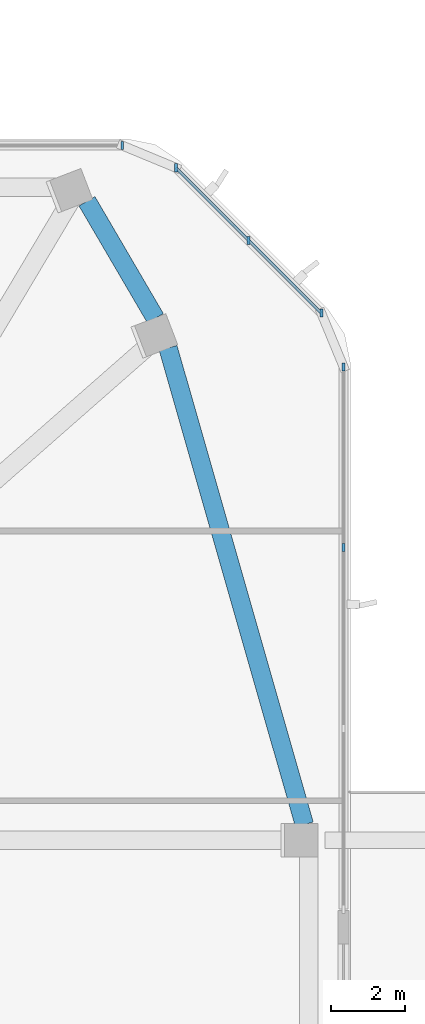
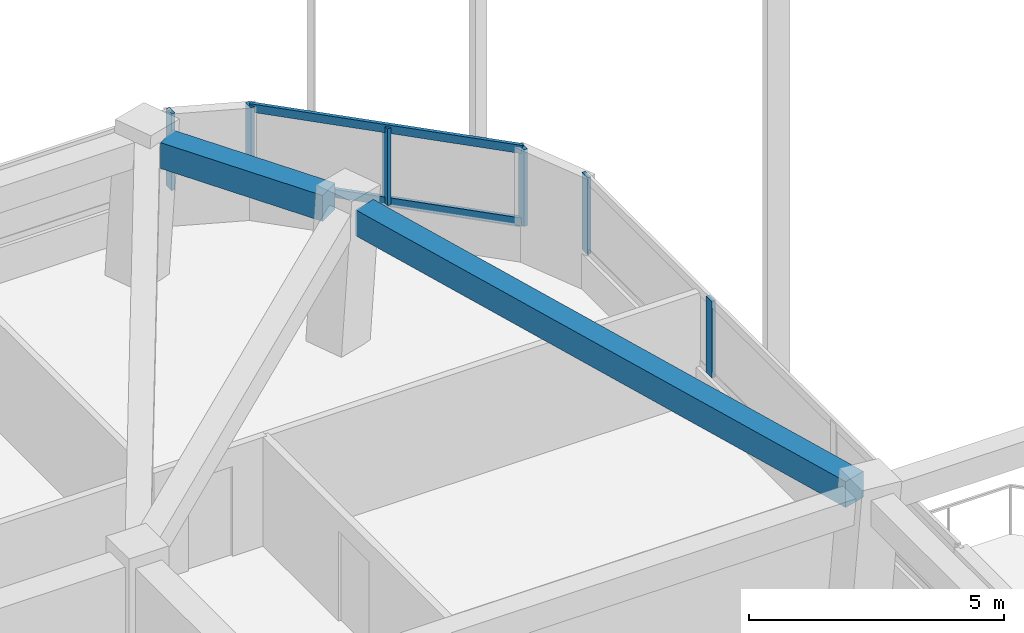
# One storey, part 8 of 17: 8 members, 2 beams, 3 elements without a shape of their own.
"""IFC4 building model written with IfcOpenShell, lengths in metres."""

import ifcopenshell
import ifcopenshell.guid

model = None  # the IFC model being written
_history = None  # IfcOwnerHistory: only IFC2X3 demands one
_inside = {}  # id of a spatial element -> (the spatial element, [elements in it])
_under = {}  # id of a project, library or spatial element -> (it, [spatial elements below it])
_declared = {}  # id of a project -> (the project, [libraries it declares])
_typed = {}  # id of a type object -> (the type object, [elements of that type])
_made_of = {}  # id of a material, layer set ... -> (it, [elements and type objects made of it])


def new_model(schema):
    """Start an empty IFC model of exactly this schema.

    Asked for "IFC4X3", IfcOpenShell would pick the latest addendum, in which some entities
    have other attributes; the version numbers below select the first issue.
    IFC2X3 requires an IfcOwnerHistory on every rooted entity: one is made here for all.
    """
    global model, _history
    if schema == "IFC4X3":
        model = ifcopenshell.file(schema_version=(4, 3, 0, 0))
    else:
        model = ifcopenshell.file(schema=schema)
    _inside.clear()
    _under.clear()
    _declared.clear()
    _typed.clear()
    _made_of.clear()
    _history = None
    if model.schema == "IFC2X3":
        org = make("IfcOrganization", Name="unknown")
        user = make(
            "IfcPersonAndOrganization",
            ThePerson=make("IfcPerson", FamilyName="unknown"),
            TheOrganization=org,
        )
        app = make(
            "IfcApplication",
            ApplicationDeveloper=org,
            Version="unknown",
            ApplicationFullName="unknown",
            ApplicationIdentifier="unknown",
        )
        _history = make(
            "IfcOwnerHistory",
            OwningUser=user,
            OwningApplication=app,
            ChangeAction="ADDED",
            CreationDate=0,
        )
    return model


def make(cls, **values):
    """One entity of the class cls with the attributes given. An attribute that is None is left unset."""
    return model.create_entity(
        cls, **{name: value for name, value in values.items() if value is not None}
    )


def rooted(cls, **values):
    """An entity with a GlobalId (a new one), such as an element, a storey or a relation."""
    return make(cls, GlobalId=ifcopenshell.guid.new(), OwnerHistory=_history, **values)


def si_unit(unit_type, name, prefix=None):
    """IfcSIUnit, for example si_unit("LENGTHUNIT", "METRE", prefix="MILLI")."""
    return make("IfcSIUnit", UnitType=unit_type, Prefix=prefix, Name=name)


def derived_unit(unit_type, elements):
    """IfcDerivedUnit: a product of units, each with its exponent."""
    return make(
        "IfcDerivedUnit",
        Elements=[
            make("IfcDerivedUnitElement", Unit=unit, Exponent=power)
            for unit, power in elements
        ],
        UnitType=unit_type,
    )


def assignment(units):
    """IfcUnitAssignment: the units of a project."""
    return None if units is None else make("IfcUnitAssignment", Units=units)


def point(xyz):
    """IfcCartesianPoint."""
    return None if xyz is None else make("IfcCartesianPoint", Coordinates=xyz)


def direction(xyz):
    """IfcDirection."""
    return None if xyz is None else make("IfcDirection", DirectionRatios=xyz)


def frame(location, z_axis=None, x_axis=None):
    """IfcAxis2Placement3D, a coordinate frame: its origin and axes. An axis left out is left unset."""
    return make(
        "IfcAxis2Placement3D",
        Location=point(location),
        Axis=direction(z_axis),
        RefDirection=direction(x_axis),
    )


def frame_2d(location, x_axis=None):
    """IfcAxis2Placement2D, a coordinate frame in the plane: its origin and x axis."""
    return make(
        "IfcAxis2Placement2D", Location=point(location), RefDirection=direction(x_axis)
    )


def origin():
    """The frame at (0, 0, 0) with its axes left unset."""
    return frame((0.0, 0.0, 0.0))


def origin_2d():
    """The frame at (0, 0) in the plane with its x axis left unset."""
    return frame_2d((0.0, 0.0))


def place(relative_to, where):
    """IfcLocalPlacement: puts the frame where relative to a parent placement (None: the world)."""
    return make(
        "IfcLocalPlacement", PlacementRelTo=relative_to, RelativePlacement=where
    )


def context(
    kind, dimensions, precision=None, world=None, true_north=None, identifier=None
):
    """IfcGeometricRepresentationContext, for example the 3D "Model" context."""
    return make(
        "IfcGeometricRepresentationContext",
        ContextIdentifier=identifier,
        ContextType=kind,
        CoordinateSpaceDimension=dimensions,
        Precision=precision,
        WorldCoordinateSystem=world,
        TrueNorth=true_north,
    )


def subcontext(parent, identifier, kind, view, scale=None):
    """IfcGeometricRepresentationSubContext, for example "Body" below "Model"."""
    return make(
        "IfcGeometricRepresentationSubContext",
        ContextIdentifier=identifier,
        ContextType=kind,
        ParentContext=parent,
        TargetScale=scale,
        TargetView=view,
    )


def project(units=None, contexts=None):
    """IfcProject with its units and contexts."""
    return rooted(
        "IfcProject",
        Name="project",
        RepresentationContexts=contexts,
        UnitsInContext=assignment(units),
    )


def spatial(cls, under=None, at=None, **own):
    """A site, building, storey or space (cls), placed at a placement, below another one or the project."""
    s = rooted(cls, ObjectPlacement=at, **own)
    if under is not None:
        _under.setdefault(under.id(), (under, []))[1].append(s)
    return s


def profile(cls, at=None, kind="AREA", **sizes):
    """A parametric profile (cls). Its sizes go by their IFC names, for example OverallWidth=200.0."""
    return make(cls, ProfileType=kind, Position=at, **sizes)


def rectangle(**sizes):
    """IfcRectangleProfileDef."""
    return profile("IfcRectangleProfileDef", **sizes)


def extrude(swept, where, along, depth):
    """IfcExtrudedAreaSolid: the profile swept, set in the frame where, extruded along a direction by depth."""
    return make(
        "IfcExtrudedAreaSolid",
        SweptArea=swept,
        Position=where,
        ExtrudedDirection=direction(along),
        Depth=depth,
    )


def shape(context_of_items, identifier, shape_type, items):
    """IfcShapeRepresentation: the items that make up one representation, for example the "Body"."""
    return make(
        "IfcShapeRepresentation",
        ContextOfItems=context_of_items,
        RepresentationIdentifier=identifier,
        RepresentationType=shape_type,
        Items=items,
    )


def material(Name=None, Category=None):
    """IfcMaterial."""
    return make("IfcMaterial", Name=Name, Category=Category)


def material_profile(
    of_material, cross_section, Name=None, Category=None, Priority=None
):
    """IfcMaterialProfile: a cross section and its material."""
    return make(
        "IfcMaterialProfile",
        Name=Name,
        Material=of_material,
        Profile=cross_section,
        Priority=Priority,
        Category=Category,
    )


def profile_set(profiles, Name=None, composite=None):
    """IfcMaterialProfileSet."""
    return make(
        "IfcMaterialProfileSet",
        Name=Name,
        MaterialProfiles=profiles,
        CompositeProfile=composite,
    )


def made_of(thing, what):
    """Note that an element or type object is made of a material, layer set ...; save() writes the relation."""
    if what is not None:
        _made_of.setdefault(what.id(), (what, []))[1].append(thing)
    return thing


def type_object(cls, material=None, **own):
    """A type object (cls), such as IfcWallType, which elements share."""
    return made_of(rooted(cls, **own), material)


def element(
    cls,
    number,
    at=None,
    inside=None,
    cuts=None,
    type_object=None,
    material=None,
    context=None,
    identifier="Body",
    shape_type=None,
    held_by="IfcProductDefinitionShape",
    body=None,
    shapes=None,
    **own,
):
    """One element of the class cls, such as IfcWall. Its Tag is "e" and its number.

    at: its placement. inside: the storey or other place that contains it. cuts: it is an
    opening in that element (IfcRelVoidsElement). A single representation is given by context,
    identifier, shape_type and body (its items); several are given by shapes. held_by: the class
    of the entity that holds the representations. save() writes the other relations.
    """
    e = rooted(cls, Tag="e%d" % number, ObjectPlacement=at, **own)
    if body is not None:
        shapes = [shape(context, identifier, shape_type, body)]
    if shapes is not None:
        e.Representation = make(held_by, Representations=shapes)
    if inside is not None:
        _inside.setdefault(inside.id(), (inside, []))[1].append(e)
    if cuts is not None:
        rooted(
            "IfcRelVoidsElement", RelatingBuildingElement=cuts, RelatedOpeningElement=e
        )
    if type_object is not None:
        _typed.setdefault(type_object.id(), (type_object, []))[1].append(e)
    return made_of(e, material)


def aggregate(whole, parts):
    """IfcRelAggregates: a whole, such as a stair, and the parts it consists of."""
    return rooted("IfcRelAggregates", RelatingObject=whole, RelatedObjects=parts)


def save(model, path):
    """Write the relations noted so far, then the file.

    IfcRelAggregates (storeys below a building ...), IfcRelContainedInSpatialStructure (elements
    in a storey), IfcRelDefinesByType, IfcRelAssociatesMaterial and IfcRelDeclares: one each for
    every whole, place, type object, material and project.
    """
    for whole, parts in _under.values():
        aggregate(whole, parts)
    for where, things in _inside.values():
        rooted(
            "IfcRelContainedInSpatialStructure",
            RelatedElements=things,
            RelatingStructure=where,
        )
    for kind, things in _typed.values():
        rooted("IfcRelDefinesByType", RelatedObjects=things, RelatingType=kind)
    for what, things in _made_of.values():
        rooted("IfcRelAssociatesMaterial", RelatedObjects=things, RelatingMaterial=what)
    for by, libraries in _declared.values():
        rooted("IfcRelDeclares", RelatingContext=by, RelatedDefinitions=libraries)
    model.write(path)


model = new_model("IFC4")

# Units and contexts
model_context = context("Model", 3, precision=1e-05, world=origin(), true_north=direction((0.0, 1.0)))
body_context = subcontext(model_context, "Body", "Model", "MODEL_VIEW")
ifc_project = project(units=[si_unit("LENGTHUNIT", "METRE"), si_unit("AREAUNIT", "SQUARE_METRE"), si_unit("VOLUMEUNIT", "CUBIC_METRE"), si_unit("PLANEANGLEUNIT", "RADIAN"), si_unit("MASSUNIT", "GRAM", prefix="KILO"), derived_unit("THERMALTRANSMITTANCEUNIT", [(si_unit("POWERUNIT", "WATT"), 1), (si_unit("LENGTHUNIT", "METRE"), -2), (si_unit("THERMODYNAMICTEMPERATUREUNIT", "KELVIN"), -1)])], contexts=[model_context])

# Site, building, storey
site_placement = place(None, origin())
site = spatial("IfcSite", under=ifc_project, at=site_placement, CompositionType="ELEMENT")
building_placement = place(site_placement, origin())
building = spatial("IfcBuilding", under=site, at=building_placement, Name="Koralith Skygarden Medical Center", CompositionType="ELEMENT")
storey_placement = place(building_placement, frame((0.0, 0.0, 207.179931640625)))
storey = spatial("IfcBuildingStorey", under=building, at=storey_placement, Name="L53", CompositionType="ELEMENT", Elevation=207.179931640625)

# Curtain wall, members
ifc_material_1 = material(Name="Clear Laminated Glass", Category="glass")
curtain_wall_type = type_object("IfcCurtainWallType", Name="CW-5 Zone 4 Flare Biophilic Curtain Wall", PredefinedType="NOTDEFINED", material=ifc_material_1)
curtain_wall_1_placement = place(storey_placement, origin())
curtain_wall_1 = element("IfcCurtainWall", 1, at=curtain_wall_1_placement, inside=storey, type_object=curtain_wall_type, Name="Curtain Wall CW-L53-E-R", PredefinedType="NOTDEFINED")
ifc_material_2 = material(Name="Aluminium 6063-T6", Category="aluminium")
ifc_material_profile_1 = material_profile(ifc_material_2, rectangle(XDim=0.080078125, YDim=0.219970703125, at=origin_2d()), Name="MUL80X220")
ifc_profile_set_1 = profile_set([ifc_material_profile_1], Name="Aluminium 6063-T6")
member_type_1 = type_object("IfcMemberType", Name="CW-5 Extruded Mullion 80x220", PredefinedType="MULLION", material=ifc_profile_set_1)
member_1_placement = place(storey_placement, frame((62.751953125, 37.200927734375, 0.85009765625), z_axis=(0.0, 0.0, 1.0), x_axis=(1.0, 0.0, 0.0)))
member_1 = element("IfcMember", 2, at=member_1_placement, type_object=member_type_1, Name="CW-L53-E-R Mullion 3", PredefinedType="MULLION", context=body_context, shape_type="SweptSolid", body=[
    extrude(rectangle(XDim=0.080078125, YDim=0.219970703125, at=origin_2d()), origin(), (0.0, 0.0, 1.0), 1.840087890625),
])
member_2_placement = place(storey_placement, frame((62.751953125, 42.08203125, 0.85009765625), z_axis=(0.0, 0.0, 1.0), x_axis=(1.0, 0.0, 0.0)))
member_2 = element("IfcMember", 3, at=member_2_placement, type_object=member_type_1, Name="CW-L53-E-R Mullion 4", PredefinedType="MULLION", context=body_context, shape_type="SweptSolid", body=[
    extrude(rectangle(XDim=0.080078125, YDim=0.219970703125, at=origin_2d()), origin(), (0.0, 0.0, 1.0), 1.840087890625),
])
aggregate(curtain_wall_1, [member_1, member_2])

curtain_wall_2_placement = place(storey_placement, origin())
curtain_wall_2 = element("IfcCurtainWall", 4, at=curtain_wall_2_placement, inside=storey, type_object=curtain_wall_type, Name="Curtain Wall CW-L53-NE", PredefinedType="NOTDEFINED")
member_3_placement = place(storey_placement, frame((62.15087890625, 43.532958984375, 0.85009765625), z_axis=(0.0, 0.0, 1.0), x_axis=(1.0, 0.0, 0.0)))
member_3 = element("IfcMember", 5, at=member_3_placement, type_object=member_type_1, Name="CW-L53-NE Mullion 1", PredefinedType="MULLION", context=body_context, shape_type="SweptSolid", body=[
    extrude(rectangle(XDim=0.080078125, YDim=0.219970703125, at=origin_2d()), origin(), (0.0, 0.0, 1.0), 1.840087890625),
])
member_4_placement = place(storey_placement, frame((60.18994140625, 45.4951171875, 0.85009765625), z_axis=(0.0, 0.0, 1.0), x_axis=(1.0, 0.0, 0.0)))
member_4 = element("IfcMember", 6, at=member_4_placement, type_object=member_type_1, Name="CW-L53-NE Mullion 2", PredefinedType="MULLION", context=body_context, shape_type="SweptSolid", body=[
    extrude(rectangle(XDim=0.080078125, YDim=0.219970703125, at=origin_2d()), origin(), (0.0, 0.0, 1.0), 1.840087890625),
])
member_5_placement = place(storey_placement, frame((58.22802734375, 47.4560546875, 0.85009765625), z_axis=(0.0, 0.0, 1.0), x_axis=(1.0, 0.0, 0.0)))
member_5 = element("IfcMember", 7, at=member_5_placement, type_object=member_type_1, Name="CW-L53-NE Mullion 3", PredefinedType="MULLION", context=body_context, shape_type="SweptSolid", body=[
    extrude(rectangle(XDim=0.080078125, YDim=0.219970703125, at=origin_2d()), origin(), (0.0, 0.0, 1.0), 1.840087890625),
])

# Curtain wall, member
curtain_wall_3_placement = place(storey_placement, origin())
curtain_wall_3 = element("IfcCurtainWall", 8, at=curtain_wall_3_placement, inside=storey, type_object=curtain_wall_type, Name="Curtain Wall CW-L53-N", PredefinedType="NOTDEFINED")
member_6_placement = place(storey_placement, frame((56.777099609375, 48.056884765625, 0.85009765625), z_axis=(0.0, 0.0, 1.0), x_axis=(1.0, 0.0, 0.0)))
member_6 = element("IfcMember", 9, at=member_6_placement, type_object=member_type_1, Name="CW-L53-N Mullion 1", PredefinedType="MULLION", context=body_context, shape_type="SweptSolid", body=[
    extrude(rectangle(XDim=0.080078125, YDim=0.219970703125, at=origin_2d()), origin(), (0.0, 0.0, 1.0), 1.840087890625),
])
aggregate(curtain_wall_3, [member_6])

# Member
ifc_material_profile_2 = material_profile(ifc_material_2, rectangle(XDim=0.074951171875, YDim=0.197998046875, at=origin_2d()), Name="TRN75X198")
ifc_profile_set_2 = profile_set([ifc_material_profile_2], Name="Aluminium 6063-T6")
member_type_2 = type_object("IfcMemberType", Name="CW-5 Thermal Transom 75x198", PredefinedType="USERDEFINED", material=ifc_profile_set_2)
member_7_placement = place(storey_placement, frame((62.15087890625, 43.532958984375, 0.900146484375), z_axis=(-0.707084777957, 0.707128783731, 0.0), x_axis=(-0.707128783731, -0.707084777957, 0.0)))
member_7 = element("IfcMember", 10, at=member_7_placement, type_object=member_type_2, Name="CW-L53-NE Transom 1", ObjectType="TRANSOM", PredefinedType="USERDEFINED", context=body_context, shape_type="SweptSolid", body=[
    extrude(rectangle(XDim=0.074951171875, YDim=0.197998046875, at=origin_2d()), origin(), (0.0, 0.0, 1.0), 5.5478515625),
])

member_8_placement = place(storey_placement, frame((62.15087890625, 43.532958984375, 2.64013671875), z_axis=(-0.707084777957, 0.707128783731, 0.0), x_axis=(-0.707128783731, -0.707084777957, 0.0)))
member_8 = element("IfcMember", 11, at=member_8_placement, type_object=member_type_2, Name="CW-L53-NE Transom 2", ObjectType="TRANSOM", PredefinedType="USERDEFINED", context=body_context, shape_type="SweptSolid", body=[
    extrude(rectangle(XDim=0.074951171875, YDim=0.197998046875, at=origin_2d()), origin(), (0.0, 0.0, 1.0), 5.5478515625),
])

aggregate(curtain_wall_2, [member_3, member_4, member_5, member_7, member_8])

# Beams
ifc_material_3 = material(Name="Concrete C45/55", Category="concrete")
ifc_material_profile_3 = material_profile(ifc_material_3, rectangle(XDim=0.5, YDim=0.6201171875, at=origin_2d()), Name="RCB500X620")
ifc_profile_set_3 = profile_set([ifc_material_profile_3], Name="Concrete C45/55")
beam_type = type_object("IfcBeamType", Name="Zone 4-5 Spandrel Beam RCB500X620", PredefinedType="SPANDREL", material=ifc_profile_set_3)
beam_1_placement = place(storey_placement, frame((61.694091796875, 29.722900390625, 3.010009765625), z_axis=(-0.274834371749, 0.961491585041, 0.0), x_axis=(-0.961491585041, -0.274834371749, 0.0)))
element("IfcBeam", 12, at=beam_1_placement, inside=storey, type_object=beam_type, Name="L53 Perimeter Spandrel Beam SP-09", PredefinedType="SPANDREL", context=body_context, shape_type="SweptSolid", body=[
    extrude(rectangle(XDim=0.5, YDim=0.6201171875, at=origin_2d()), origin(), (0.0, 0.0, 1.0), 13.382568359375),
])
beam_2_placement = place(storey_placement, frame((57.673095703125, 43.39306640625, 3.010009765625), z_axis=(-0.504861750403, 0.863200216045, 0.0), x_axis=(-0.863200216045, -0.504861750403, 0.0)))
element("IfcBeam", 13, at=beam_2_placement, inside=storey, type_object=beam_type, Name="L53 Perimeter Spandrel Beam SP-10", PredefinedType="SPANDREL", context=body_context, shape_type="SweptSolid", body=[
    extrude(rectangle(XDim=0.5, YDim=0.6201171875, at=origin_2d()), origin(), (0.0, 0.0, 1.0), 3.66064453125),
])

save(model, "model.ifc")
